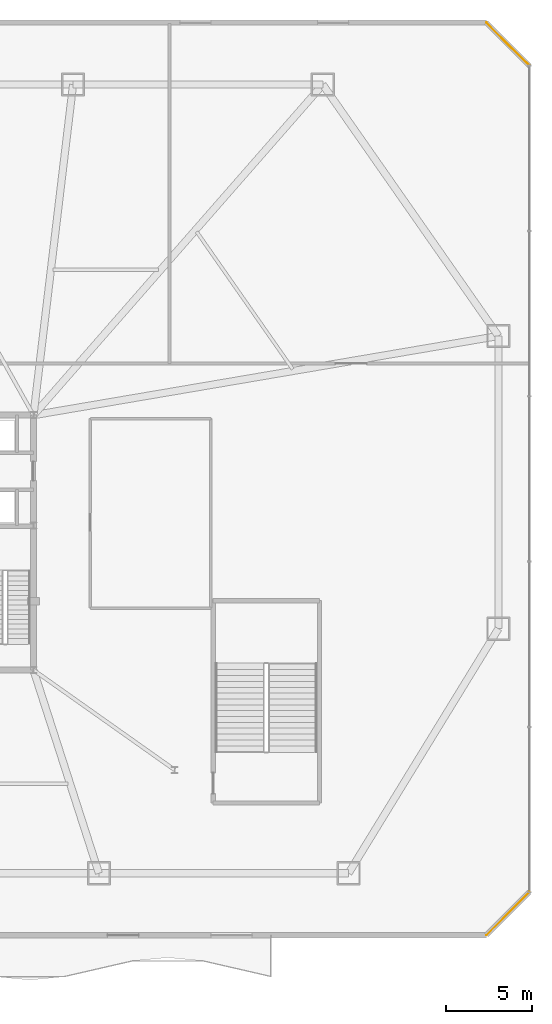
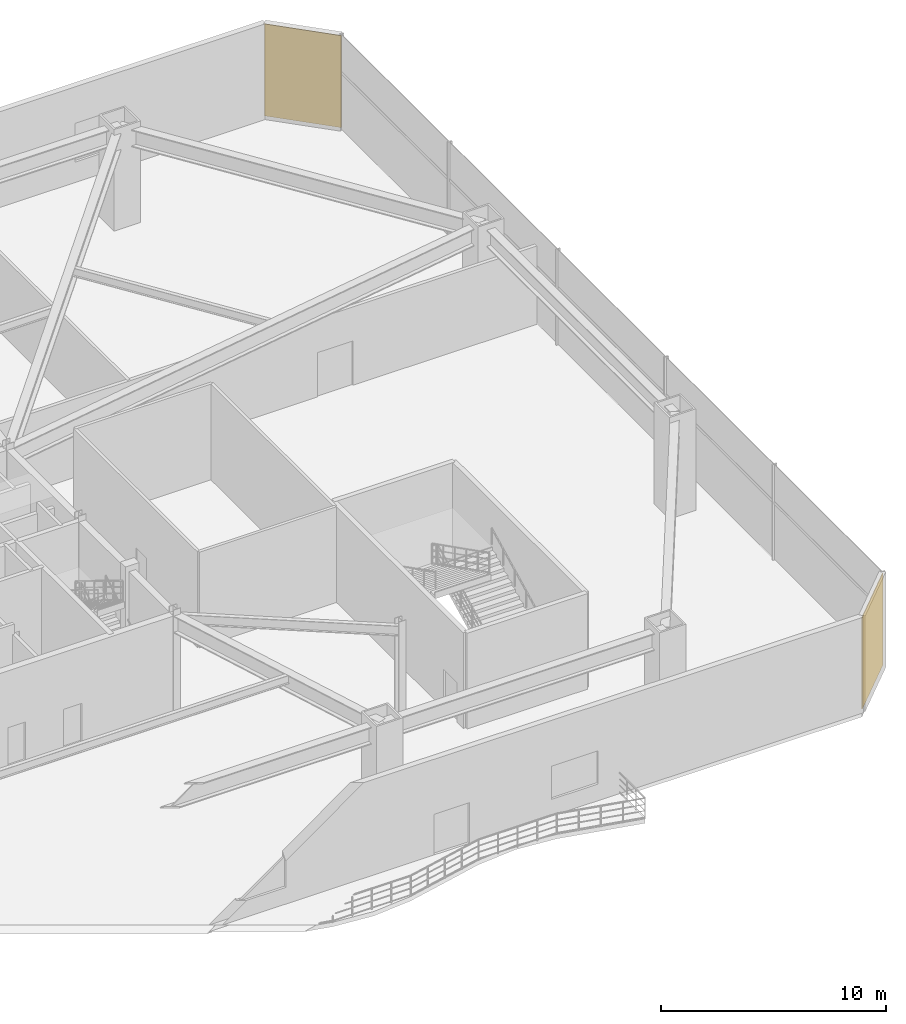
# One storey, part 20 of 20: 2 coverings.
"""IFC4 building model written with IfcOpenShell, lengths in metres."""

from ifc_helpers import new_model, si_unit, direction, frame, frame_2d, origin, place, context, subcontext, project, spatial, rectangle, extrude, material, layer, layer_set, type_object, element, save


model = new_model("IFC4")

# Units and contexts
model_context = context("Model", 3, precision=1e-05, world=origin(), true_north=direction((0.0, 1.0)))
body_context = subcontext(model_context, "Body", "Model", "MODEL_VIEW")
ifc_project = project(units=[si_unit("LENGTHUNIT", "METRE"), si_unit("AREAUNIT", "SQUARE_METRE"), si_unit("VOLUMEUNIT", "CUBIC_METRE"), si_unit("PLANEANGLEUNIT", "RADIAN"), si_unit("MASSUNIT", "GRAM", prefix="KILO")], contexts=[model_context])

# Site, building, storey
site_placement = place(None, origin())
site = spatial("IfcSite", under=ifc_project, at=site_placement, CompositionType="ELEMENT")
building_placement = place(site_placement, origin())
building = spatial("IfcBuilding", under=site, at=building_placement, Name="Varakhsha Concourse Tower", CompositionType="ELEMENT")
storey_placement = place(building_placement, frame((0.0, 0.0, 16.5)))
storey = spatial("IfcBuildingStorey", under=building, at=storey_placement, Name="L04", CompositionType="ELEMENT", Elevation=16.5)

# Coverings
ifc_material = material(Name="Samarkand Glazed Terracotta Rainscreen Tile 32 mm", Category="masonry")
ifc_layer = layer(ifc_material, 0.031982421875, Name="COV-RAINSCREEN-32")
ifc_layer_set = layer_set([ifc_layer], Name="Samarkand Glazed Terracotta Rainscreen Tile 32 mm")
covering_type = type_object("IfcCoveringType", Name="COV-RAINSCREEN-32", PredefinedType="CLADDING", material=ifc_layer_set)
for number, where, z_axis, x_axis, name in (
    (1, (74.5, 1.0, 0.10009765625), (0.0, 0.0, 1.0), (0.707106781187, 0.707106781187, 0.0), "L04 Terracotta Rainscreen Cladding 1"),
    (2, (77.0, 51.5, 0.10009765625), (0.0, 0.0, 1.0), (-0.707106781187, 0.707106781187, 0.0), "L04 Terracotta Rainscreen Cladding 3"),
):
    element("IfcCovering", number, at=place(storey_placement, frame(where, z_axis=z_axis, x_axis=x_axis)), inside=storey, type_object=covering_type, Name=name, PredefinedType="CLADDING", context=body_context, shape_type="SweptSolid", body=[
        extrude(rectangle(XDim=3.53564453125, YDim=0.031982421875, at=frame_2d((1.767822265625, 0.0))), origin(), (0.0, 0.0, 1.0), 4.97998046875),
    ])

save(model, "model.ifc")
